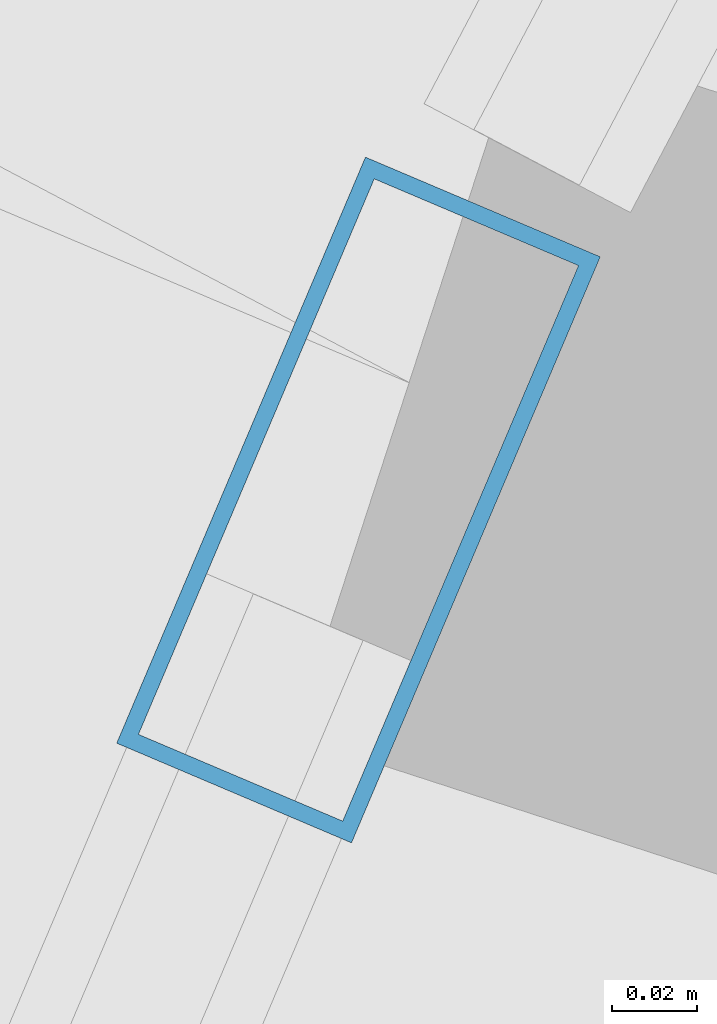
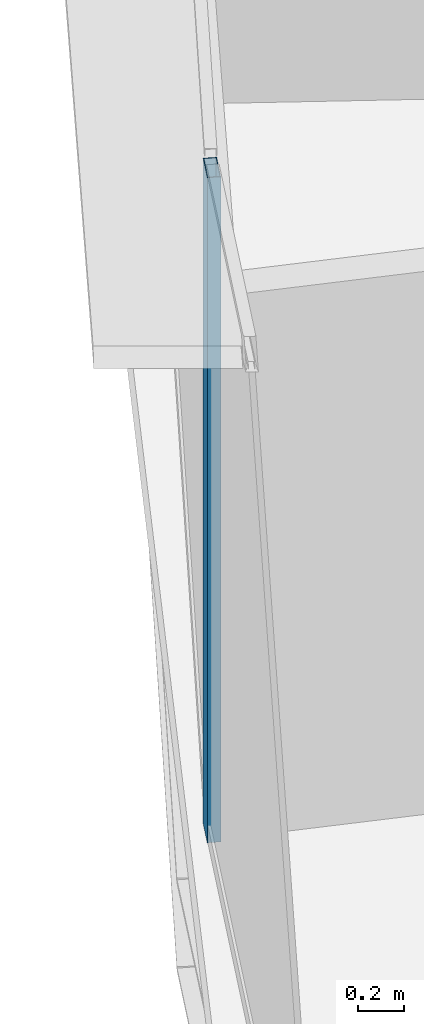
# One storey, part 8 of 40: 1 member, 1 element without a shape of its own.
"""IFC4 building model written with IfcOpenShell, lengths in metres."""

from ifc_helpers import new_model, si_unit, direction, frame, origin, origin_2d, place, context, subcontext, project, spatial, hollow_rectangle, extrude, source, transform, mapped, material, layer, layer_set, material_profile, profile_set, type_object, element, aggregate, save


model = new_model("IFC4")

# Units and contexts
model_context = context("Model", 3, precision=1e-05, world=origin(), true_north=direction((0.0, 1.0)))
body_context = subcontext(model_context, "Body", "Model", "MODEL_VIEW")
ifc_project = project(units=[si_unit("LENGTHUNIT", "METRE"), si_unit("AREAUNIT", "SQUARE_METRE"), si_unit("VOLUMEUNIT", "CUBIC_METRE"), si_unit("PLANEANGLEUNIT", "RADIAN"), si_unit("MASSUNIT", "GRAM", prefix="KILO"), si_unit("THERMODYNAMICTEMPERATUREUNIT", "KELVIN"), si_unit("POWERUNIT", "WATT")], contexts=[model_context])

# Site, building, storey
site_placement = place(None, origin())
site = spatial("IfcSite", under=ifc_project, at=site_placement, CompositionType="ELEMENT")
building_placement = place(site_placement, origin())
building = spatial("IfcBuilding", under=site, at=building_placement, Name="Yunzhuo Pagoda Commons", CompositionType="ELEMENT")
storey_placement = place(building_placement, frame((0.0, 0.0, 184.760009765625)))
storey = spatial("IfcBuildingStorey", under=building, at=storey_placement, Name="L46", CompositionType="ELEMENT", Elevation=184.760009765625)

# Curtain wall, member
ifc_material = material(Name="Anodized aluminium 6063-T6", Category="aluminium")
ifc_layer = layer(ifc_material, 0.14990234375)
ifc_layer_set = layer_set([ifc_layer], Name="Anodized aluminium 6063-T6")
curtain_wall_type = type_object("IfcCurtainWallType", Name="CW-MID Mid-Zone Ribbon Curtain Wall", PredefinedType="NOTDEFINED", material=ifc_layer_set)
curtain_wall_placement = place(storey_placement, origin())
curtain_wall = element("IfcCurtainWall", 1, at=curtain_wall_placement, inside=storey, type_object=curtain_wall_type, Name="L46 curtain wall CW-L46-F3B4", PredefinedType="NOTDEFINED")
ifc_material_profile = material_profile(ifc_material, hollow_rectangle(XDim=0.06005859375, YDim=0.14990234375, WallThickness=0.00390625, at=origin_2d()), Name="Anodized aluminium 6063-T6")
ifc_profile_set = profile_set([ifc_material_profile], Name="Anodized aluminium 6063-T6")
member_type = type_object("IfcMemberType", Name="CW-MID-M Mullion RHS 150x60x4", PredefinedType="MULLION", material=ifc_profile_set)
shared_shape = source(origin(), body_context, "Body", "SweptSolid", [
    extrude(hollow_rectangle(XDim=0.06005859375, YDim=0.14990234375, WallThickness=0.00390625, at=origin_2d()), origin(), (0.0, 0.0, 1.0), 3.5400390625),
])
member_placement = place(storey_placement, frame((17.34326171875, 43.629638671875, 0.0), z_axis=(0.0, 0.0, 1.0), x_axis=(0.920515325194, -0.390706457693, 0.0)))
member = element("IfcMember", 2, at=member_placement, type_object=member_type, Name="CW mullion 1", PredefinedType="MULLION", context=body_context, shape_type="MappedRepresentation", body=[
    mapped(shared_shape, transform((0.0, 0.0, 0.0), scale=1.0)),
])
aggregate(curtain_wall, [member])

save(model, "model.ifc")
